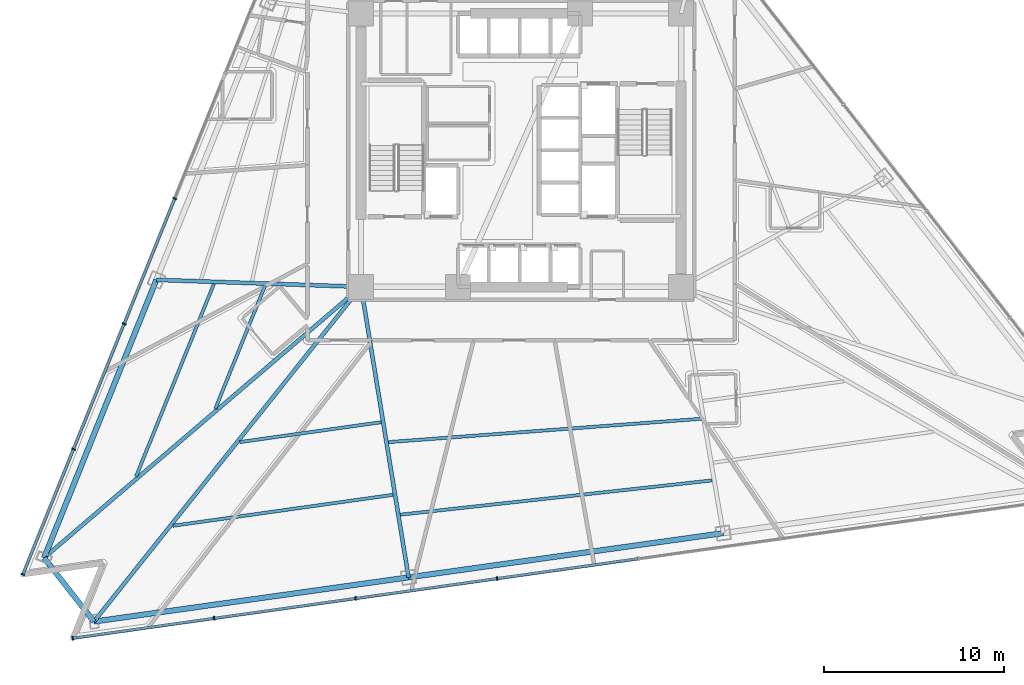
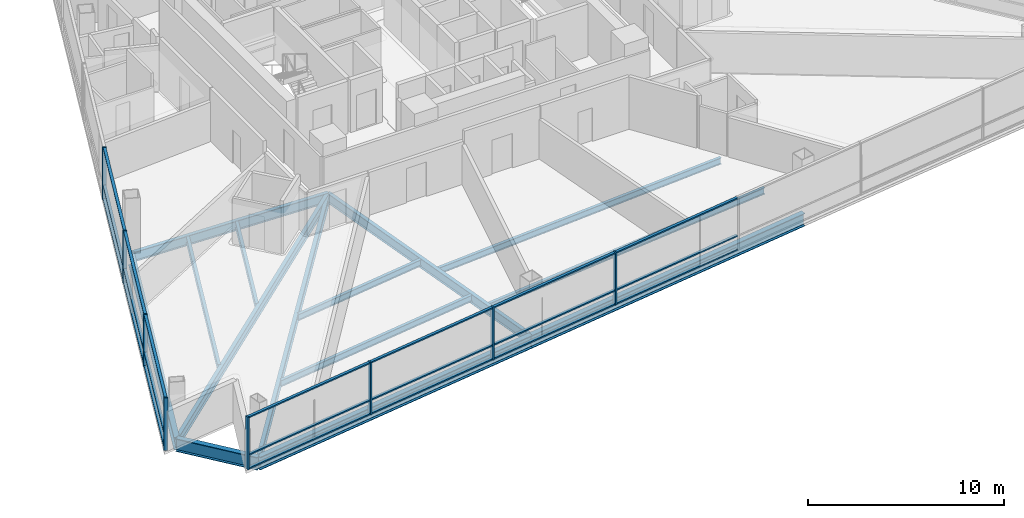
# One storey, part 2 of 15: 29 members, 14 beams, 2 elements without a shape of their own.
"""IFC4 building model written with IfcOpenShell, lengths in metres."""

from ifc_helpers import new_model, si_unit, direction, frame, origin, origin_2d, place, context, subcontext, project, spatial, rectangle, i_section, extrude, material, layer, layer_set, material_profile, profile_set, type_object, element, aggregate, save


model = new_model("IFC4")

# Units and contexts
model_context = context("Model", 3, precision=1e-05, world=origin(), true_north=direction((0.0, 1.0)))
body_context = subcontext(model_context, "Body", "Model", "MODEL_VIEW")
ifc_project = project(units=[si_unit("LENGTHUNIT", "METRE"), si_unit("AREAUNIT", "SQUARE_METRE"), si_unit("VOLUMEUNIT", "CUBIC_METRE"), si_unit("PLANEANGLEUNIT", "RADIAN"), si_unit("MASSUNIT", "GRAM", prefix="KILO")], contexts=[model_context])

# Site, building, storey
site_placement = place(None, origin())
site = spatial("IfcSite", under=ifc_project, at=site_placement, CompositionType="ELEMENT")
building_placement = place(site_placement, origin())
building = spatial("IfcBuilding", under=site, at=building_placement, Name="Tharavind Bronze Gate", CompositionType="ELEMENT")
storey_placement = place(building_placement, frame((0.0, 0.0, 67.300048828125)))
storey = spatial("IfcBuildingStorey", under=building, at=storey_placement, Name="L16", CompositionType="ELEMENT", Elevation=67.300048828125)

# Curtain wall, members
ifc_material_1 = material(Name="Anodised Bronze Aluminium", Category="aluminium")
ifc_layer = layer(ifc_material_1, 0.219970703125)
ifc_layer_set = layer_set([ifc_layer], Name="Anodised Bronze Aluminium")
curtain_wall_type = type_object("IfcCurtainWallType", Name="UNITISED CURTAIN WALL HOTEL", PredefinedType="USERDEFINED", material=ifc_layer_set)
curtain_wall_1_placement = place(storey_placement, origin())
curtain_wall_1 = element("IfcCurtainWall", 1, at=curtain_wall_1_placement, inside=storey, type_object=curtain_wall_type, Name="L16 unitised curtain wall hotel CW-L16-S1", ObjectType="UNITISED CURTAIN WALL", PredefinedType="USERDEFINED")
member_type_1 = type_object("IfcMemberType", Name="CURTAIN WALL MULLION 80X220", PredefinedType="MULLION", material=ifc_material_1)
member_1_placement = place(storey_placement, frame((-19.261474609375, -2.688232421875, 0.0), z_axis=(0.0, 0.0, 1.0), x_axis=(-0.374606593416, -0.927183854567, 0.0)))
member_1 = element("IfcMember", 2, at=member_1_placement, type_object=member_type_1, Name="CW-L16-S1 mullion 5", PredefinedType="MULLION", context=body_context, shape_type="SweptSolid", body=[
    extrude(rectangle(XDim=0.080078125, YDim=0.219970703125, at=origin_2d()), origin(), (0.0, 0.0, 1.0), 3.27490234375),
])
member_2_placement = place(storey_placement, frame((-22.07666015625, -9.65625, 0.0), z_axis=(0.0, 0.0, 1.0), x_axis=(-0.374606593416, -0.927183854567, 0.0)))
member_2 = element("IfcMember", 3, at=member_2_placement, type_object=member_type_1, Name="CW-L16-S1 mullion 6", PredefinedType="MULLION", context=body_context, shape_type="SweptSolid", body=[
    extrude(rectangle(XDim=0.080078125, YDim=0.219970703125, at=origin_2d()), origin(), (0.0, 0.0, 1.0), 3.27490234375),
])
member_3_placement = place(storey_placement, frame((-24.891845703125, -16.6240234375, 0.0), z_axis=(0.0, 0.0, 1.0), x_axis=(-0.374606593416, -0.927183854567, 0.0)))
member_3 = element("IfcMember", 4, at=member_3_placement, type_object=member_type_1, Name="CW-L16-S1 mullion 7", PredefinedType="MULLION", context=body_context, shape_type="SweptSolid", body=[
    extrude(rectangle(XDim=0.080078125, YDim=0.219970703125, at=origin_2d()), origin(), (0.0, 0.0, 1.0), 3.27490234375),
])
member_4_placement = place(storey_placement, frame((-27.70703125, -23.591796875, 0.0), z_axis=(0.0, 0.0, 1.0), x_axis=(-0.374606593416, -0.927183854567, 0.0)))
member_4 = element("IfcMember", 5, at=member_4_placement, type_object=member_type_1, Name="CW-L16-S1 mullion 8", PredefinedType="MULLION", context=body_context, shape_type="SweptSolid", body=[
    extrude(rectangle(XDim=0.080078125, YDim=0.219970703125, at=origin_2d()), origin(), (0.0, 0.0, 1.0), 3.27490234375),
])

curtain_wall_2_placement = place(storey_placement, origin())
curtain_wall_2 = element("IfcCurtainWall", 6, at=curtain_wall_2_placement, inside=storey, type_object=curtain_wall_type, Name="L16 unitised curtain wall hotel CW-L16-S2", ObjectType="UNITISED CURTAIN WALL", PredefinedType="USERDEFINED")
member_5_placement = place(storey_placement, frame((-24.9365234375, -27.137939453125, 0.0), z_axis=(0.0, 0.0, 1.0), x_axis=(0.990268068742, 0.13917310096, 0.0)))
member_5 = element("IfcMember", 7, at=member_5_placement, type_object=member_type_1, Name="CW-L16-S2 mullion 1", PredefinedType="MULLION", context=body_context, shape_type="SweptSolid", body=[
    extrude(rectangle(XDim=0.080078125, YDim=0.219970703125, at=origin_2d()), origin(), (0.0, 0.0, 1.0), 3.27490234375),
])
member_6_placement = place(storey_placement, frame((-17.0703125, -26.032470703125, 0.0), z_axis=(0.0, 0.0, 1.0), x_axis=(0.990268068742, 0.13917310096, 0.0)))
member_6 = element("IfcMember", 8, at=member_6_placement, type_object=member_type_1, Name="CW-L16-S2 mullion 2", PredefinedType="MULLION", context=body_context, shape_type="SweptSolid", body=[
    extrude(rectangle(XDim=0.080078125, YDim=0.219970703125, at=origin_2d()), origin(), (0.0, 0.0, 1.0), 3.27490234375),
])
member_7_placement = place(storey_placement, frame((-9.203857421875, -24.9267578125, 0.0), z_axis=(0.0, 0.0, 1.0), x_axis=(0.990268068742, 0.13917310096, 0.0)))
member_7 = element("IfcMember", 9, at=member_7_placement, type_object=member_type_1, Name="CW-L16-S2 mullion 3", PredefinedType="MULLION", context=body_context, shape_type="SweptSolid", body=[
    extrude(rectangle(XDim=0.080078125, YDim=0.219970703125, at=origin_2d()), origin(), (0.0, 0.0, 1.0), 3.27490234375),
])
member_8_placement = place(storey_placement, frame((-1.337646484375, -23.8212890625, 0.0), z_axis=(0.0, 0.0, 1.0), x_axis=(0.990268068742, 0.13917310096, 0.0)))
member_8 = element("IfcMember", 10, at=member_8_placement, type_object=member_type_1, Name="CW-L16-S2 mullion 4", PredefinedType="MULLION", context=body_context, shape_type="SweptSolid", body=[
    extrude(rectangle(XDim=0.080078125, YDim=0.219970703125, at=origin_2d()), origin(), (0.0, 0.0, 1.0), 3.27490234375),
])

# Member
member_type_2 = type_object("IfcMemberType", Name="CURTAIN WALL TRANSOM 80X160", PredefinedType="USERDEFINED", material=ifc_material_1)
member_9_placement = place(storey_placement, frame((-20.669189453125, -6.17236328125, 0.0), z_axis=(0.0, 0.0, 1.0), x_axis=(-0.374606593416, -0.927183854567, 0.0)))
member_9 = element("IfcMember", 11, at=member_9_placement, type_object=member_type_2, Name="CW-L16-S1 transom TB5", ObjectType="TRANSOM", PredefinedType="USERDEFINED", context=body_context, shape_type="SweptSolid", body=[
    extrude(rectangle(XDim=7.447021484375, YDim=0.159912109375, at=origin_2d()), origin(), (0.0, 0.0, 1.0), 0.080078125),
])

member_10_placement = place(storey_placement, frame((-20.669189453125, -6.17236328125, 0.85986328125), z_axis=(0.0, 0.0, 1.0), x_axis=(-0.374606593416, -0.927183854567, 0.0)))
member_10 = element("IfcMember", 12, at=member_10_placement, type_object=member_type_2, Name="CW-L16-S1 transom TS5", ObjectType="TRANSOM", PredefinedType="USERDEFINED", context=body_context, shape_type="SweptSolid", body=[
    extrude(rectangle(XDim=7.447021484375, YDim=0.159912109375, at=origin_2d()), origin(), (0.0, 0.0, 1.0), 0.080078125),
])

member_11_placement = place(storey_placement, frame((-20.669189453125, -6.17236328125, 3.19482421875), z_axis=(0.0, 0.0, 1.0), x_axis=(-0.374606593416, -0.927183854567, 0.0)))
member_11 = element("IfcMember", 13, at=member_11_placement, type_object=member_type_2, Name="CW-L16-S1 transom TT5", ObjectType="TRANSOM", PredefinedType="USERDEFINED", context=body_context, shape_type="SweptSolid", body=[
    extrude(rectangle(XDim=7.447021484375, YDim=0.159912109375, at=origin_2d()), origin(), (0.0, 0.0, 1.0), 0.080078125),
])

member_12_placement = place(storey_placement, frame((-23.484375, -13.14013671875, 0.0), z_axis=(0.0, 0.0, 1.0), x_axis=(-0.374606593416, -0.927183854567, 0.0)))
member_12 = element("IfcMember", 14, at=member_12_placement, type_object=member_type_2, Name="CW-L16-S1 transom TB6", ObjectType="TRANSOM", PredefinedType="USERDEFINED", context=body_context, shape_type="SweptSolid", body=[
    extrude(rectangle(XDim=7.447021484375, YDim=0.159912109375, at=origin_2d()), origin(), (0.0, 0.0, 1.0), 0.080078125),
])

member_13_placement = place(storey_placement, frame((-23.484375, -13.14013671875, 0.85986328125), z_axis=(0.0, 0.0, 1.0), x_axis=(-0.374606593416, -0.927183854567, 0.0)))
member_13 = element("IfcMember", 15, at=member_13_placement, type_object=member_type_2, Name="CW-L16-S1 transom TS6", ObjectType="TRANSOM", PredefinedType="USERDEFINED", context=body_context, shape_type="SweptSolid", body=[
    extrude(rectangle(XDim=7.447021484375, YDim=0.159912109375, at=origin_2d()), origin(), (0.0, 0.0, 1.0), 0.080078125),
])

member_14_placement = place(storey_placement, frame((-23.484375, -13.14013671875, 3.19482421875), z_axis=(0.0, 0.0, 1.0), x_axis=(-0.374606593416, -0.927183854567, 0.0)))
member_14 = element("IfcMember", 16, at=member_14_placement, type_object=member_type_2, Name="CW-L16-S1 transom TT6", ObjectType="TRANSOM", PredefinedType="USERDEFINED", context=body_context, shape_type="SweptSolid", body=[
    extrude(rectangle(XDim=7.447021484375, YDim=0.159912109375, at=origin_2d()), origin(), (0.0, 0.0, 1.0), 0.080078125),
])

member_15_placement = place(storey_placement, frame((-26.299560546875, -20.10791015625, 0.0), z_axis=(0.0, 0.0, 1.0), x_axis=(-0.374606593416, -0.927183854567, 0.0)))
member_15 = element("IfcMember", 17, at=member_15_placement, type_object=member_type_2, Name="CW-L16-S1 transom TB7", ObjectType="TRANSOM", PredefinedType="USERDEFINED", context=body_context, shape_type="SweptSolid", body=[
    extrude(rectangle(XDim=7.447021484375, YDim=0.159912109375, at=origin_2d()), origin(), (0.0, 0.0, 1.0), 0.080078125),
])

member_16_placement = place(storey_placement, frame((-26.299560546875, -20.10791015625, 0.85986328125), z_axis=(0.0, 0.0, 1.0), x_axis=(-0.374606593416, -0.927183854567, 0.0)))
member_16 = element("IfcMember", 18, at=member_16_placement, type_object=member_type_2, Name="CW-L16-S1 transom TS7", ObjectType="TRANSOM", PredefinedType="USERDEFINED", context=body_context, shape_type="SweptSolid", body=[
    extrude(rectangle(XDim=7.447021484375, YDim=0.159912109375, at=origin_2d()), origin(), (0.0, 0.0, 1.0), 0.080078125),
])

member_17_placement = place(storey_placement, frame((-26.299560546875, -20.10791015625, 3.19482421875), z_axis=(0.0, 0.0, 1.0), x_axis=(-0.374606593416, -0.927183854567, 0.0)))
member_17 = element("IfcMember", 19, at=member_17_placement, type_object=member_type_2, Name="CW-L16-S1 transom TT7", ObjectType="TRANSOM", PredefinedType="USERDEFINED", context=body_context, shape_type="SweptSolid", body=[
    extrude(rectangle(XDim=7.447021484375, YDim=0.159912109375, at=origin_2d()), origin(), (0.0, 0.0, 1.0), 0.080078125),
])

aggregate(curtain_wall_1, [member_1, member_2, member_3, member_4, member_9, member_10, member_11, member_12, member_13, member_14, member_15, member_16, member_17])

member_18_placement = place(storey_placement, frame((-21.00341796875, -26.585205078125, 0.0), z_axis=(0.0, 0.0, 1.0), x_axis=(0.990268068742, 0.13917310096, 0.0)))
member_18 = element("IfcMember", 20, at=member_18_placement, type_object=member_type_2, Name="CW-L16-S2 transom TB1", ObjectType="TRANSOM", PredefinedType="USERDEFINED", context=body_context, shape_type="SweptSolid", body=[
    extrude(rectangle(XDim=7.87548828125, YDim=0.159912109375, at=origin_2d()), origin(), (0.0, 0.0, 1.0), 0.080078125),
])

member_19_placement = place(storey_placement, frame((-21.00341796875, -26.585205078125, 0.85986328125), z_axis=(0.0, 0.0, 1.0), x_axis=(0.990268068742, 0.13917310096, 0.0)))
member_19 = element("IfcMember", 21, at=member_19_placement, type_object=member_type_2, Name="CW-L16-S2 transom TS1", ObjectType="TRANSOM", PredefinedType="USERDEFINED", context=body_context, shape_type="SweptSolid", body=[
    extrude(rectangle(XDim=7.87548828125, YDim=0.159912109375, at=origin_2d()), origin(), (0.0, 0.0, 1.0), 0.080078125),
])

member_20_placement = place(storey_placement, frame((-21.00341796875, -26.585205078125, 3.19482421875), z_axis=(0.0, 0.0, 1.0), x_axis=(0.990268068742, 0.13917310096, 0.0)))
member_20 = element("IfcMember", 22, at=member_20_placement, type_object=member_type_2, Name="CW-L16-S2 transom TT1", ObjectType="TRANSOM", PredefinedType="USERDEFINED", context=body_context, shape_type="SweptSolid", body=[
    extrude(rectangle(XDim=7.87548828125, YDim=0.159912109375, at=origin_2d()), origin(), (0.0, 0.0, 1.0), 0.080078125),
])

member_21_placement = place(storey_placement, frame((-13.13720703125, -25.4794921875, 0.0), z_axis=(0.0, 0.0, 1.0), x_axis=(0.990268068742, 0.13917310096, 0.0)))
member_21 = element("IfcMember", 23, at=member_21_placement, type_object=member_type_2, Name="CW-L16-S2 transom TB2", ObjectType="TRANSOM", PredefinedType="USERDEFINED", context=body_context, shape_type="SweptSolid", body=[
    extrude(rectangle(XDim=7.87548828125, YDim=0.159912109375, at=origin_2d()), origin(), (0.0, 0.0, 1.0), 0.080078125),
])

member_22_placement = place(storey_placement, frame((-13.13720703125, -25.4794921875, 0.85986328125), z_axis=(0.0, 0.0, 1.0), x_axis=(0.990268068742, 0.13917310096, 0.0)))
member_22 = element("IfcMember", 24, at=member_22_placement, type_object=member_type_2, Name="CW-L16-S2 transom TS2", ObjectType="TRANSOM", PredefinedType="USERDEFINED", context=body_context, shape_type="SweptSolid", body=[
    extrude(rectangle(XDim=7.87548828125, YDim=0.159912109375, at=origin_2d()), origin(), (0.0, 0.0, 1.0), 0.080078125),
])

member_23_placement = place(storey_placement, frame((-13.13720703125, -25.4794921875, 3.19482421875), z_axis=(0.0, 0.0, 1.0), x_axis=(0.990268068742, 0.13917310096, 0.0)))
member_23 = element("IfcMember", 25, at=member_23_placement, type_object=member_type_2, Name="CW-L16-S2 transom TT2", ObjectType="TRANSOM", PredefinedType="USERDEFINED", context=body_context, shape_type="SweptSolid", body=[
    extrude(rectangle(XDim=7.87548828125, YDim=0.159912109375, at=origin_2d()), origin(), (0.0, 0.0, 1.0), 0.080078125),
])

member_24_placement = place(storey_placement, frame((-5.270751953125, -24.3740234375, 0.0), z_axis=(0.0, 0.0, 1.0), x_axis=(0.990268068742, 0.13917310096, 0.0)))
member_24 = element("IfcMember", 26, at=member_24_placement, type_object=member_type_2, Name="CW-L16-S2 transom TB3", ObjectType="TRANSOM", PredefinedType="USERDEFINED", context=body_context, shape_type="SweptSolid", body=[
    extrude(rectangle(XDim=7.87548828125, YDim=0.159912109375, at=origin_2d()), origin(), (0.0, 0.0, 1.0), 0.080078125),
])

member_25_placement = place(storey_placement, frame((-5.270751953125, -24.3740234375, 0.85986328125), z_axis=(0.0, 0.0, 1.0), x_axis=(0.990268068742, 0.13917310096, 0.0)))
member_25 = element("IfcMember", 27, at=member_25_placement, type_object=member_type_2, Name="CW-L16-S2 transom TS3", ObjectType="TRANSOM", PredefinedType="USERDEFINED", context=body_context, shape_type="SweptSolid", body=[
    extrude(rectangle(XDim=7.87548828125, YDim=0.159912109375, at=origin_2d()), origin(), (0.0, 0.0, 1.0), 0.080078125),
])

member_26_placement = place(storey_placement, frame((-5.270751953125, -24.3740234375, 3.19482421875), z_axis=(0.0, 0.0, 1.0), x_axis=(0.990268068742, 0.13917310096, 0.0)))
member_26 = element("IfcMember", 28, at=member_26_placement, type_object=member_type_2, Name="CW-L16-S2 transom TT3", ObjectType="TRANSOM", PredefinedType="USERDEFINED", context=body_context, shape_type="SweptSolid", body=[
    extrude(rectangle(XDim=7.87548828125, YDim=0.159912109375, at=origin_2d()), origin(), (0.0, 0.0, 1.0), 0.080078125),
])

member_27_placement = place(storey_placement, frame((2.595703125, -23.2685546875, 0.0), z_axis=(0.0, 0.0, 1.0), x_axis=(0.990268068742, 0.13917310096, 0.0)))
member_27 = element("IfcMember", 29, at=member_27_placement, type_object=member_type_2, Name="CW-L16-S2 transom TB4", ObjectType="TRANSOM", PredefinedType="USERDEFINED", context=body_context, shape_type="SweptSolid", body=[
    extrude(rectangle(XDim=7.87548828125, YDim=0.159912109375, at=origin_2d()), origin(), (0.0, 0.0, 1.0), 0.080078125),
])

member_28_placement = place(storey_placement, frame((2.595703125, -23.2685546875, 0.85986328125), z_axis=(0.0, 0.0, 1.0), x_axis=(0.990268068742, 0.13917310096, 0.0)))
member_28 = element("IfcMember", 30, at=member_28_placement, type_object=member_type_2, Name="CW-L16-S2 transom TS4", ObjectType="TRANSOM", PredefinedType="USERDEFINED", context=body_context, shape_type="SweptSolid", body=[
    extrude(rectangle(XDim=7.87548828125, YDim=0.159912109375, at=origin_2d()), origin(), (0.0, 0.0, 1.0), 0.080078125),
])

member_29_placement = place(storey_placement, frame((2.595703125, -23.2685546875, 3.19482421875), z_axis=(0.0, 0.0, 1.0), x_axis=(0.990268068742, 0.13917310096, 0.0)))
member_29 = element("IfcMember", 31, at=member_29_placement, type_object=member_type_2, Name="CW-L16-S2 transom TT4", ObjectType="TRANSOM", PredefinedType="USERDEFINED", context=body_context, shape_type="SweptSolid", body=[
    extrude(rectangle(XDim=7.87548828125, YDim=0.159912109375, at=origin_2d()), origin(), (0.0, 0.0, 1.0), 0.080078125),
])

aggregate(curtain_wall_2, [member_5, member_6, member_7, member_8, member_18, member_19, member_20, member_21, member_22, member_23, member_24, member_25, member_26, member_27, member_28, member_29])

# Beams
ifc_material_2 = material(Name="Steel S355", Category="steel")
ifc_material_profile_1 = material_profile(ifc_material_2, i_section(OverallWidth=0.219970703125, OverallDepth=0.60009765625, WebThickness=0.011962890625, FlangeThickness=0.01904296875, at=origin_2d()), Name="IPE600")
ifc_profile_set_1 = profile_set([ifc_material_profile_1], Name="Steel S355")
beam_type_1 = type_object("IfcBeamType", Name="PRIMARY GIRDER IPE600", PredefinedType="USERDEFINED", material=ifc_profile_set_1)
beam_1_placement = place(storey_placement, frame((-20.28076171875, -7.212890625, -0.47509765625), z_axis=(0.999421731514, -0.034002978938, 0.0), x_axis=(0.034002978938, 0.999421731514, 0.0)))
element("IfcBeam", 32, at=beam_1_placement, inside=storey, type_object=beam_type_1, Name="L16 primary girder ipe600 BM-L16-RAD03", ObjectType="GIRDER", PredefinedType="USERDEFINED", context=body_context, shape_type="SweptSolid", body=[
    extrude(i_section(OverallWidth=0.219970703125, OverallDepth=0.60009765625, WebThickness=0.011962890625, FlangeThickness=0.01904296875, at=origin_2d()), origin(), (0.0, 0.0, 1.0), 11.387451171875),
])
beam_2_placement = place(storey_placement, frame((-26.525146484375, -22.66845703125, -0.47509765625), z_axis=(0.760086871137, 0.649821474195, 0.0), x_axis=(-0.649821474195, 0.760086871137, 0.0)))
element("IfcBeam", 33, at=beam_2_placement, inside=storey, type_object=beam_type_1, Name="L16 primary girder ipe600 BM-L16-RAD04", ObjectType="GIRDER", PredefinedType="USERDEFINED", context=body_context, shape_type="SweptSolid", body=[
    extrude(i_section(OverallWidth=0.219970703125, OverallDepth=0.60009765625, WebThickness=0.011962890625, FlangeThickness=0.01904296875, at=origin_2d()), origin(), (0.0, 0.0, 1.0), 23.1884765625),
])
beam_3_placement = place(storey_placement, frame((-23.754638671875, -26.21435546875, -0.47509765625), z_axis=(0.623755703822, 0.781619358735, 0.0), x_axis=(-0.781619358735, 0.623755703822, 0.0)))
element("IfcBeam", 34, at=beam_3_placement, inside=storey, type_object=beam_type_1, Name="L16 primary girder ipe600 BM-L16-RAD05", ObjectType="GIRDER", PredefinedType="USERDEFINED", context=body_context, shape_type="SweptSolid", body=[
    extrude(i_section(OverallWidth=0.219970703125, OverallDepth=0.60009765625, WebThickness=0.011962890625, FlangeThickness=0.01904296875, at=origin_2d()), origin(), (0.0, 0.0, 1.0), 23.81494140625),
])
beam_4_placement = place(storey_placement, frame((-6.25732421875, -23.75537109375, -0.47509765625), z_axis=(-0.161428355107, 0.986884434049, 0.0), x_axis=(-0.986884434049, -0.161428355107, 0.0)))
element("IfcBeam", 35, at=beam_4_placement, inside=storey, type_object=beam_type_1, Name="L16 primary girder ipe600 BM-L16-RAD06", ObjectType="GIRDER", PredefinedType="USERDEFINED", context=body_context, shape_type="SweptSolid", body=[
    extrude(i_section(OverallWidth=0.219970703125, OverallDepth=0.60009765625, WebThickness=0.011962890625, FlangeThickness=0.01904296875, at=origin_2d()), origin(), (0.0, 0.0, 1.0), 16.369873046875),
])
ifc_material_profile_2 = material_profile(ifc_material_2, i_section(OverallWidth=0.300048828125, OverallDepth=0.800048828125, WebThickness=0.017578125, FlangeThickness=0.032958984375, at=origin_2d()), Name="HE800B")
ifc_profile_set_2 = profile_set([ifc_material_profile_2], Name="Steel S355")
beam_type_2 = type_object("IfcBeamType", Name="RING GIRDER HE800B", PredefinedType="USERDEFINED", material=ifc_profile_set_2)
beam_5_placement = place(storey_placement, frame((-20.28076171875, -7.212890625, -0.574951171875), z_axis=(-0.374603014443, -0.927185300557, 0.0), x_axis=(0.927185300557, -0.374603014443, 0.0)))
element("IfcBeam", 36, at=beam_5_placement, inside=storey, type_object=beam_type_2, Name="L16 ring girder he800b BM-L16-PRG03", ObjectType="GIRDER", PredefinedType="USERDEFINED", context=body_context, shape_type="SweptSolid", body=[
    extrude(i_section(OverallWidth=0.300048828125, OverallDepth=0.800048828125, WebThickness=0.017578125, FlangeThickness=0.032958984375, at=origin_2d()), origin(), (0.0, 0.0, 1.0), 16.66943359375),
])
beam_6_placement = place(storey_placement, frame((-26.525146484375, -22.66845703125, -0.574951171875), z_axis=(0.615681943852, -0.787994761413, 0.0), x_axis=(0.787994761413, 0.615681943852, 0.0)))
element("IfcBeam", 37, at=beam_6_placement, inside=storey, type_object=beam_type_2, Name="L16 ring girder he800b BM-L16-PRG04", ObjectType="GIRDER", PredefinedType="USERDEFINED", context=body_context, shape_type="SweptSolid", body=[
    extrude(i_section(OverallWidth=0.300048828125, OverallDepth=0.800048828125, WebThickness=0.017578125, FlangeThickness=0.032958984375, at=origin_2d()), origin(), (0.0, 0.0, 1.0), 4.5),
])
beam_7_placement = place(storey_placement, frame((-23.754638671875, -26.21435546875, -0.574951171875), z_axis=(0.990268870582, 0.13916739545, 0.0), x_axis=(-0.13916739545, 0.990268870582, 0.0)))
element("IfcBeam", 38, at=beam_7_placement, inside=storey, type_object=beam_type_2, Name="L16 ring girder he800b BM-L16-PRG05", ObjectType="GIRDER", PredefinedType="USERDEFINED", context=body_context, shape_type="SweptSolid", body=[
    extrude(i_section(OverallWidth=0.300048828125, OverallDepth=0.800048828125, WebThickness=0.017578125, FlangeThickness=0.032958984375, at=origin_2d()), origin(), (0.0, 0.0, 1.0), 17.669189453125),
])
beam_8_placement = place(storey_placement, frame((-6.25732421875, -23.75537109375, -0.574951171875), z_axis=(0.99026860297, 0.139169299675, 0.0), x_axis=(-0.139169299675, 0.99026860297, 0.0)))
element("IfcBeam", 39, at=beam_8_placement, inside=storey, type_object=beam_type_2, Name="L16 ring girder he800b BM-L16-PRG06", ObjectType="GIRDER", PredefinedType="USERDEFINED", context=body_context, shape_type="SweptSolid", body=[
    extrude(i_section(OverallWidth=0.300048828125, OverallDepth=0.800048828125, WebThickness=0.017578125, FlangeThickness=0.032958984375, at=origin_2d()), origin(), (0.0, 0.0, 1.0), 17.6689453125),
])
ifc_material_profile_3 = material_profile(ifc_material_2, i_section(OverallWidth=0.179931640625, OverallDepth=0.39990234375, WebThickness=0.008544921875, FlangeThickness=0.013427734375, at=origin_2d()), Name="IPE400")
ifc_profile_set_3 = profile_set([ifc_material_profile_3], Name="Steel S355")
beam_type_3 = type_object("IfcBeamType", Name="SECONDARY FLOOR JOIST IPE400", PredefinedType="JOIST", material=ifc_profile_set_3)
beam_9_placement = place(storey_placement, frame((-14.2373046875, -7.5322265625, -0.375), z_axis=(-0.37461330308, -0.927181143658, 0.0), x_axis=(0.927181143658, -0.37461330308, 0.0)))
element("IfcBeam", 40, at=beam_9_placement, inside=storey, type_object=beam_type_3, Name="L16 secondary floor joist ipe400 BM-L16-JSTA03", PredefinedType="JOIST", context=body_context, shape_type="SweptSolid", body=[
    extrude(i_section(OverallWidth=0.179931640625, OverallDepth=0.39990234375, WebThickness=0.008544921875, FlangeThickness=0.013427734375, at=origin_2d()), origin(), (0.0, 0.0, 1.0), 7.387939453125),
])
beam_10_placement = place(storey_placement, frame((-17.08251953125, -7.435546875, -0.375), z_axis=(-0.374608720943, -0.927182994987, 0.0), x_axis=(0.927182994987, -0.374608720943, 0.0)))
element("IfcBeam", 41, at=beam_10_placement, inside=storey, type_object=beam_type_3, Name="L16 secondary floor joist ipe400 BM-L16-JSTB03", PredefinedType="JOIST", context=body_context, shape_type="SweptSolid", body=[
    extrude(i_section(OverallWidth=0.179931640625, OverallDepth=0.39990234375, WebThickness=0.008544921875, FlangeThickness=0.013427734375, at=origin_2d()), origin(), (0.0, 0.0, 1.0), 11.554931640625),
])
beam_11_placement = place(storey_placement, frame((-15.64501953125, -16.23291015625, -0.375), z_axis=(0.990268635853, 0.139169065695, 0.0), x_axis=(-0.139169065695, 0.990268635853, 0.0)))
element("IfcBeam", 42, at=beam_11_placement, inside=storey, type_object=beam_type_3, Name="L16 secondary floor joist ipe400 BM-L16-JSTA05", PredefinedType="JOIST", context=body_context, shape_type="SweptSolid", body=[
    extrude(i_section(OverallWidth=0.179931640625, OverallDepth=0.39990234375, WebThickness=0.008544921875, FlangeThickness=0.013427734375, at=origin_2d()), origin(), (0.0, 0.0, 1.0), 7.93798828125),
])
beam_12_placement = place(storey_placement, frame((-19.358642578125, -20.886474609375, -0.375), z_axis=(0.990268624097, 0.139169149347, 0.0), x_axis=(-0.139169149347, 0.990268624097, 0.0)))
element("IfcBeam", 43, at=beam_12_placement, inside=storey, type_object=beam_type_3, Name="L16 secondary floor joist ipe400 BM-L16-JSTB05", PredefinedType="JOIST", context=body_context, shape_type="SweptSolid", body=[
    extrude(i_section(OverallWidth=0.179931640625, OverallDepth=0.39990234375, WebThickness=0.008544921875, FlangeThickness=0.013427734375, at=origin_2d()), origin(), (0.0, 0.0, 1.0), 12.355224609375),
])
beam_13_placement = place(storey_placement, frame((-7.3720703125, -16.234619140625, -0.375), z_axis=(0.997229733674, 0.074383185436, 0.0), x_axis=(-0.074383185436, 0.997229733674, 0.0)))
element("IfcBeam", 44, at=beam_13_placement, inside=storey, type_object=beam_type_3, Name="L16 secondary floor joist ipe400 BM-L16-JSTA06", PredefinedType="JOIST", context=body_context, shape_type="SweptSolid", body=[
    extrude(i_section(OverallWidth=0.179931640625, OverallDepth=0.39990234375, WebThickness=0.008544921875, FlangeThickness=0.013427734375, at=origin_2d()), origin(), (0.0, 0.0, 1.0), 17.4580078125),
])
beam_14_placement = place(storey_placement, frame((-6.712158203125, -20.269287109375, -0.375), z_axis=(0.99401448474, 0.109248359842, 0.0), x_axis=(-0.109248359842, 0.99401448474, 0.0)))
element("IfcBeam", 45, at=beam_14_placement, inside=storey, type_object=beam_type_3, Name="L16 secondary floor joist ipe400 BM-L16-JSTB06", PredefinedType="JOIST", context=body_context, shape_type="SweptSolid", body=[
    extrude(i_section(OverallWidth=0.179931640625, OverallDepth=0.39990234375, WebThickness=0.008544921875, FlangeThickness=0.013427734375, at=origin_2d()), origin(), (0.0, 0.0, 1.0), 17.43994140625),
])

save(model, "model.ifc")
